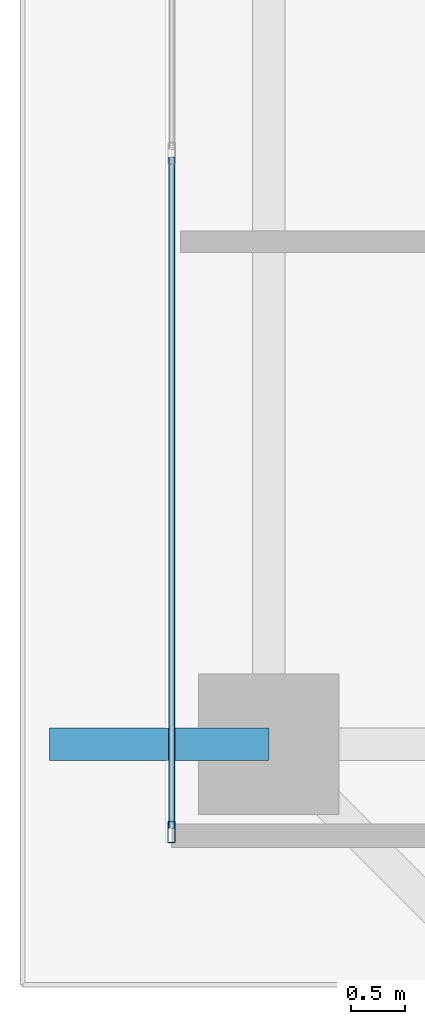
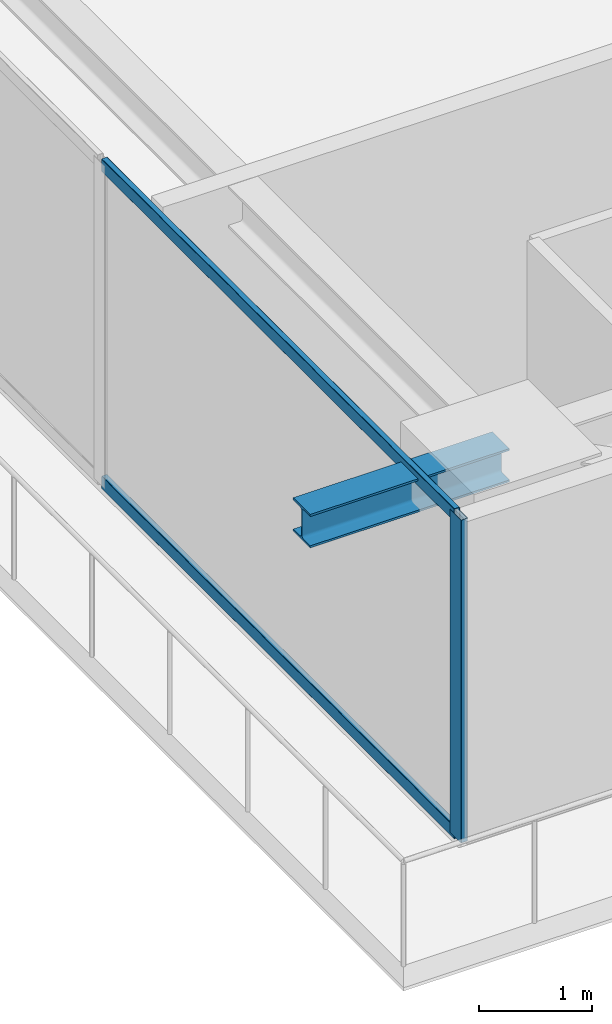
# One storey, part 3 of 38: 3 members, 1 beam, 1 element without a shape of its own.
"""IFC4 building model written with IfcOpenShell, lengths in metres."""

from ifc_helpers import new_model, si_unit, direction, frame, origin, origin_2d, place, context, subcontext, project, spatial, hollow_rectangle, i_section, extrude, source, transform, mapped, material, layer, layer_set, material_profile, profile_set, type_object, element, aggregate, save


model = new_model("IFC4")

# Units and contexts
model_context = context("Model", 3, precision=1e-05, world=origin(), true_north=direction((0.0, 1.0)))
body_context = subcontext(model_context, "Body", "Model", "MODEL_VIEW")
ifc_project = project(units=[si_unit("LENGTHUNIT", "METRE"), si_unit("AREAUNIT", "SQUARE_METRE"), si_unit("VOLUMEUNIT", "CUBIC_METRE"), si_unit("PLANEANGLEUNIT", "RADIAN"), si_unit("MASSUNIT", "GRAM", prefix="KILO")], contexts=[model_context])

# Site, building, storey
site_placement = place(None, origin())
site = spatial("IfcSite", under=ifc_project, at=site_placement, CompositionType="ELEMENT")
building_placement = place(site_placement, origin())
building = spatial("IfcBuilding", under=site, at=building_placement, Name="Serunith Strait Residences", CompositionType="ELEMENT")
storey_placement = place(building_placement, frame((0.0, 0.0, 176.39990234375)))
storey = spatial("IfcBuildingStorey", under=building, at=storey_placement, Name="L44", CompositionType="ELEMENT", Elevation=176.39990234375)

# Beam
ifc_material_1 = material(Name="Steel S355J2", Category="steel")
ifc_material_profile_1 = material_profile(ifc_material_1, i_section(OverallWidth=0.300048828125, OverallDepth=0.360107421875, WebThickness=0.012451171875, FlangeThickness=0.0224609375, FilletRadius=0.027099609375, at=origin_2d()), Name="HEB 360")
ifc_profile_set_1 = profile_set([ifc_material_profile_1], Name="Steel S355J2")
beam_type = type_object("IfcBeamType", Name="BM-HEB360", PredefinedType="BEAM", material=ifc_profile_set_1)
shared_shape_1 = source(origin(), body_context, "Body", "SweptSolid", [
    extrude(i_section(OverallWidth=0.300048828125, OverallDepth=0.360107421875, WebThickness=0.012451171875, FlangeThickness=0.0224609375, FilletRadius=0.027099609375, at=origin_2d()), origin(), (0.0, 0.0, 1.0), 2.030029296875),
])
beam_placement = place(storey_placement, frame((8.699951171875, 10.25, 3.277099609375), z_axis=(-1.0, 0.0, 0.0), x_axis=(0.0, -1.0, 0.0)))
element("IfcBeam", 1, at=beam_placement, inside=storey, type_object=beam_type, Name="L45 Cantilevered Balcony Rib TC-W1", PredefinedType="BEAM", context=body_context, shape_type="MappedRepresentation", body=[
    mapped(shared_shape_1, transform((0.0, 0.0, 0.0), scale=1.0)),
])

# Curtain wall, members
ifc_material_2 = material(Name="Pale-Champagne Anodised Aluminium", Category="aluminium")
ifc_layer = layer(ifc_material_2, 0.199951171875, Name="Pale-Champagne Anodised Aluminium")
ifc_layer_set = layer_set([ifc_layer], Name="Pale-Champagne Anodised Aluminium")
curtain_wall_type = type_object("IfcCurtainWallType", Name="CW-SYS2", PredefinedType="NOTDEFINED", material=ifc_layer_set)
curtain_wall_placement = place(storey_placement, origin())
curtain_wall = element("IfcCurtainWall", 2, at=curtain_wall_placement, inside=storey, type_object=curtain_wall_type, Name="L44 W Unitised Fritted Curtain Wall", PredefinedType="NOTDEFINED")
ifc_material_profile_2 = material_profile(ifc_material_2, hollow_rectangle(XDim=0.070068359375, YDim=0.199951171875, WallThickness=0.00390625, InnerFilletRadius=0.006103515625, OuterFilletRadius=0.010009765625, at=origin_2d()), Name="ALU 200x70x4")
ifc_profile_set_2 = profile_set([ifc_material_profile_2], Name="Pale-Champagne Anodised Aluminium")
member_type_1 = type_object("IfcMemberType", Name="CW-SYS2-MULL", PredefinedType="MULLION", material=ifc_profile_set_2)
shared_shape_2 = source(origin(), body_context, "Body", "SweptSolid", [
    extrude(hollow_rectangle(XDim=0.070068359375, YDim=0.199951171875, WallThickness=0.00390625, InnerFilletRadius=0.006103515625, OuterFilletRadius=0.010009765625, at=origin_2d()), origin(), (0.0, 0.0, 1.0), 3.47509765625),
])
member_1_placement = place(storey_placement, frame((7.800048828125, 9.43505859375, 0.0), z_axis=(0.0, 0.0, 1.0), x_axis=(1.0, 0.0, 0.0)))
member_1 = element("IfcMember", 3, at=member_1_placement, type_object=member_type_1, Name="CW-2 mullion 6", PredefinedType="MULLION", context=body_context, shape_type="MappedRepresentation", body=[
    mapped(shared_shape_2, transform((0.0, 0.0, 0.0), scale=1.0)),
])
ifc_material_profile_3 = material_profile(ifc_material_2, hollow_rectangle(XDim=0.06005859375, YDim=0.139892578125, WallThickness=0.00341796875, InnerFilletRadius=0.00537109375, OuterFilletRadius=0.0087890625, at=origin_2d()), Name="ALU 140x60x3.5")
ifc_profile_set_3 = profile_set([ifc_material_profile_3], Name="Pale-Champagne Anodised Aluminium")
member_type_2 = type_object("IfcMemberType", Name="CW-SYS2-TRAN", PredefinedType="USERDEFINED", material=ifc_profile_set_3)
shared_shape_3 = source(origin(), body_context, "Body", "SweptSolid", [
    extrude(hollow_rectangle(XDim=0.06005859375, YDim=0.139892578125, WallThickness=0.00341796875, InnerFilletRadius=0.00537109375, OuterFilletRadius=0.0087890625, at=origin_2d()), origin(), (0.0, 0.0, 1.0), 6.215087890625),
])
member_2_placement = place(storey_placement, frame((7.800048828125, 15.68505859375, 0.030029296875), z_axis=(0.0, -1.0, 0.0), x_axis=(1.0, 0.0, 0.0)))
member_2 = element("IfcMember", 4, at=member_2_placement, type_object=member_type_2, Name="CW-2 transom 5.1", ObjectType="TRANSOM", PredefinedType="USERDEFINED", context=body_context, shape_type="MappedRepresentation", body=[
    mapped(shared_shape_3, transform((0.0, 0.0, 0.0), scale=1.0)),
])
member_3_placement = place(storey_placement, frame((7.800048828125, 15.68505859375, 3.445068359375), z_axis=(0.0, -1.0, 0.0), x_axis=(1.0, 0.0, 0.0)))
member_3 = element("IfcMember", 5, at=member_3_placement, type_object=member_type_2, Name="CW-2 transom 5.2", ObjectType="TRANSOM", PredefinedType="USERDEFINED", context=body_context, shape_type="MappedRepresentation", body=[
    mapped(shared_shape_3, transform((0.0, 0.0, 0.0), scale=1.0)),
])
aggregate(curtain_wall, [member_1, member_2, member_3])

save(model, "model.ifc")
